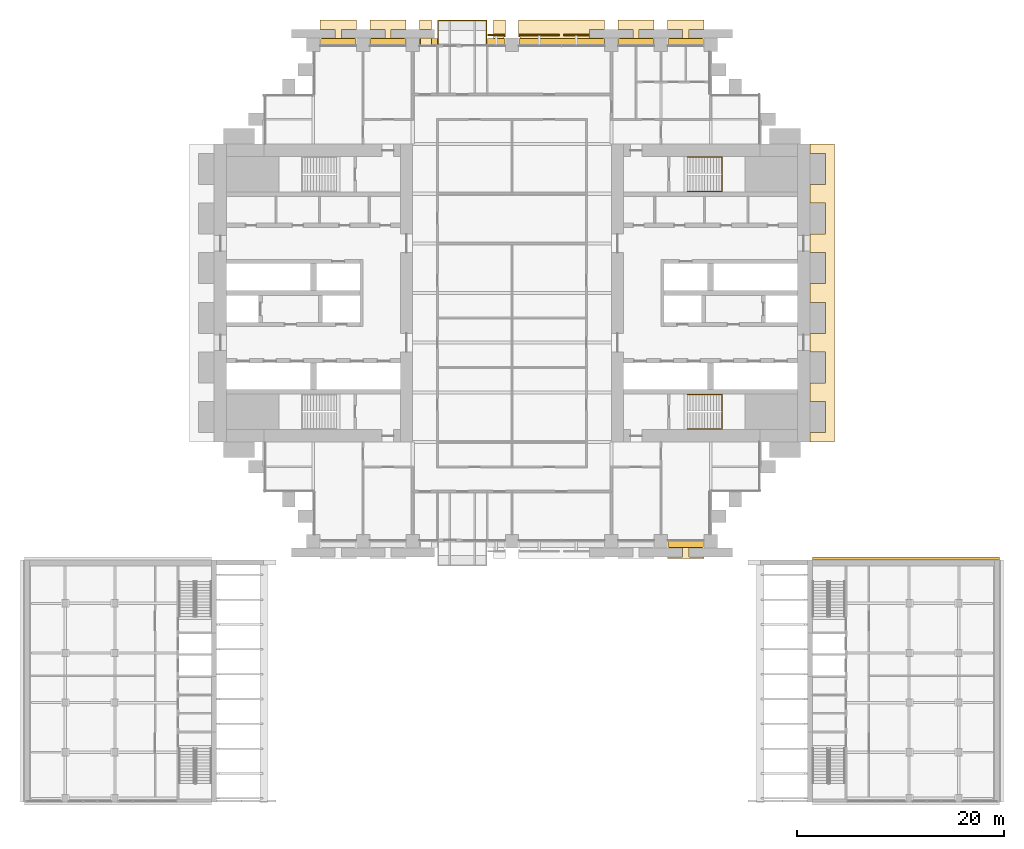
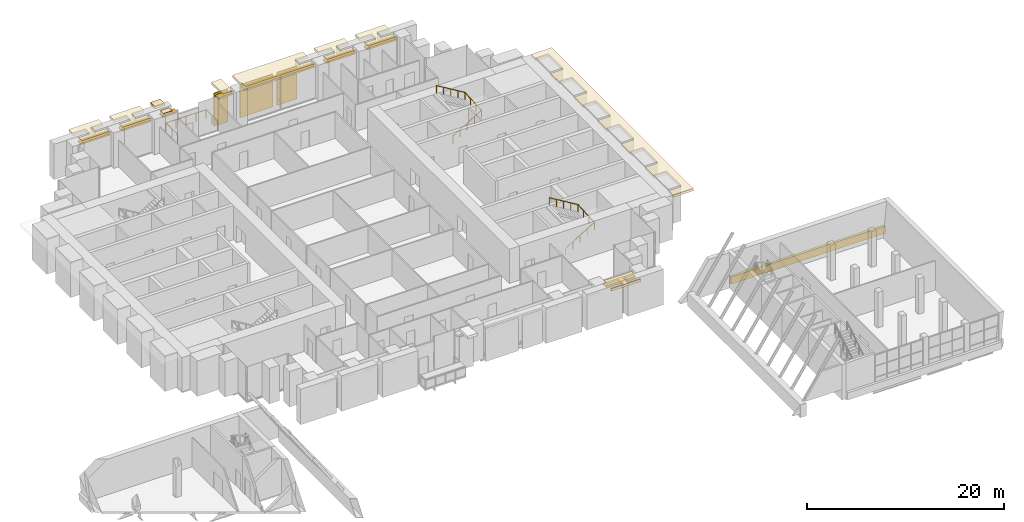
# One storey, part 32 of 32: 14 coverings, 8 shading devices, 3 railings.
"""IFC4 building model written with IfcOpenShell, lengths in metres."""

import ifcopenshell
import ifcopenshell.guid

model = None  # the IFC model being written
_history = None  # IfcOwnerHistory: only IFC2X3 demands one
_inside = {}  # id of a spatial element -> (the spatial element, [elements in it])
_under = {}  # id of a project, library or spatial element -> (it, [spatial elements below it])
_declared = {}  # id of a project -> (the project, [libraries it declares])
_typed = {}  # id of a type object -> (the type object, [elements of that type])
_made_of = {}  # id of a material, layer set ... -> (it, [elements and type objects made of it])


def new_model(schema):
    """Start an empty IFC model of exactly this schema.

    Asked for "IFC4X3", IfcOpenShell would pick the latest addendum, in which some entities
    have other attributes; the version numbers below select the first issue.
    IFC2X3 requires an IfcOwnerHistory on every rooted entity: one is made here for all.
    """
    global model, _history
    if schema == "IFC4X3":
        model = ifcopenshell.file(schema_version=(4, 3, 0, 0))
    else:
        model = ifcopenshell.file(schema=schema)
    _inside.clear()
    _under.clear()
    _declared.clear()
    _typed.clear()
    _made_of.clear()
    _history = None
    if model.schema == "IFC2X3":
        org = make("IfcOrganization", Name="unknown")
        user = make(
            "IfcPersonAndOrganization",
            ThePerson=make("IfcPerson", FamilyName="unknown"),
            TheOrganization=org,
        )
        app = make(
            "IfcApplication",
            ApplicationDeveloper=org,
            Version="unknown",
            ApplicationFullName="unknown",
            ApplicationIdentifier="unknown",
        )
        _history = make(
            "IfcOwnerHistory",
            OwningUser=user,
            OwningApplication=app,
            ChangeAction="ADDED",
            CreationDate=0,
        )
    return model


def make(cls, **values):
    """One entity of the class cls with the attributes given. An attribute that is None is left unset."""
    return model.create_entity(
        cls, **{name: value for name, value in values.items() if value is not None}
    )


def rooted(cls, **values):
    """An entity with a GlobalId (a new one), such as an element, a storey or a relation."""
    return make(cls, GlobalId=ifcopenshell.guid.new(), OwnerHistory=_history, **values)


def si_unit(unit_type, name, prefix=None):
    """IfcSIUnit, for example si_unit("LENGTHUNIT", "METRE", prefix="MILLI")."""
    return make("IfcSIUnit", UnitType=unit_type, Prefix=prefix, Name=name)


def assignment(units):
    """IfcUnitAssignment: the units of a project."""
    return None if units is None else make("IfcUnitAssignment", Units=units)


def point(xyz):
    """IfcCartesianPoint."""
    return None if xyz is None else make("IfcCartesianPoint", Coordinates=xyz)


def direction(xyz):
    """IfcDirection."""
    return None if xyz is None else make("IfcDirection", DirectionRatios=xyz)


def frame(location, z_axis=None, x_axis=None):
    """IfcAxis2Placement3D, a coordinate frame: its origin and axes. An axis left out is left unset."""
    return make(
        "IfcAxis2Placement3D",
        Location=point(location),
        Axis=direction(z_axis),
        RefDirection=direction(x_axis),
    )


def frame_2d(location, x_axis=None):
    """IfcAxis2Placement2D, a coordinate frame in the plane: its origin and x axis."""
    return make(
        "IfcAxis2Placement2D", Location=point(location), RefDirection=direction(x_axis)
    )


def origin():
    """The frame at (0, 0, 0) with its axes left unset."""
    return frame((0.0, 0.0, 0.0))


def origin_2d():
    """The frame at (0, 0) in the plane with its x axis left unset."""
    return frame_2d((0.0, 0.0))


def place(relative_to, where):
    """IfcLocalPlacement: puts the frame where relative to a parent placement (None: the world)."""
    return make(
        "IfcLocalPlacement", PlacementRelTo=relative_to, RelativePlacement=where
    )


def context(
    kind, dimensions, precision=None, world=None, true_north=None, identifier=None
):
    """IfcGeometricRepresentationContext, for example the 3D "Model" context."""
    return make(
        "IfcGeometricRepresentationContext",
        ContextIdentifier=identifier,
        ContextType=kind,
        CoordinateSpaceDimension=dimensions,
        Precision=precision,
        WorldCoordinateSystem=world,
        TrueNorth=true_north,
    )


def subcontext(parent, identifier, kind, view, scale=None):
    """IfcGeometricRepresentationSubContext, for example "Body" below "Model"."""
    return make(
        "IfcGeometricRepresentationSubContext",
        ContextIdentifier=identifier,
        ContextType=kind,
        ParentContext=parent,
        TargetScale=scale,
        TargetView=view,
    )


def project(units=None, contexts=None):
    """IfcProject with its units and contexts."""
    return rooted(
        "IfcProject",
        Name="project",
        RepresentationContexts=contexts,
        UnitsInContext=assignment(units),
    )


def spatial(cls, under=None, at=None, **own):
    """A site, building, storey or space (cls), placed at a placement, below another one or the project."""
    s = rooted(cls, ObjectPlacement=at, **own)
    if under is not None:
        _under.setdefault(under.id(), (under, []))[1].append(s)
    return s


def polyline(points):
    """IfcPolyline through the points."""
    return make("IfcPolyline", Points=[point(p) for p in points])


def profile(cls, at=None, kind="AREA", **sizes):
    """A parametric profile (cls). Its sizes go by their IFC names, for example OverallWidth=200.0."""
    return make(cls, ProfileType=kind, Position=at, **sizes)


def rectangle(**sizes):
    """IfcRectangleProfileDef."""
    return profile("IfcRectangleProfileDef", **sizes)


def circle(**sizes):
    """IfcCircleProfileDef."""
    return profile("IfcCircleProfileDef", **sizes)


def outline(outer, holes=None, kind="AREA"):
    """IfcArbitraryClosedProfileDef: a profile drawn as a closed curve; with holes, ...WithVoids."""
    if holes is None:
        return make("IfcArbitraryClosedProfileDef", ProfileType=kind, OuterCurve=outer)
    return make(
        "IfcArbitraryProfileDefWithVoids",
        ProfileType=kind,
        OuterCurve=outer,
        InnerCurves=holes,
    )


def extrude(swept, where, along, depth):
    """IfcExtrudedAreaSolid: the profile swept, set in the frame where, extruded along a direction by depth."""
    return make(
        "IfcExtrudedAreaSolid",
        SweptArea=swept,
        Position=where,
        ExtrudedDirection=direction(along),
        Depth=depth,
    )


def shape(context_of_items, identifier, shape_type, items):
    """IfcShapeRepresentation: the items that make up one representation, for example the "Body"."""
    return make(
        "IfcShapeRepresentation",
        ContextOfItems=context_of_items,
        RepresentationIdentifier=identifier,
        RepresentationType=shape_type,
        Items=items,
    )


def material(Name=None, Category=None):
    """IfcMaterial."""
    return make("IfcMaterial", Name=Name, Category=Category)


def layer(
    of_material, thickness, ventilated=None, Name=None, Category=None, Priority=None
):
    """IfcMaterialLayer: one layer of a wall or slab, of a material (None: an air gap)."""
    return make(
        "IfcMaterialLayer",
        Material=of_material,
        LayerThickness=thickness,
        IsVentilated=ventilated,
        Name=Name,
        Category=Category,
        Priority=Priority,
    )


def layer_set(layers, Name=None):
    """IfcMaterialLayerSet."""
    return make("IfcMaterialLayerSet", MaterialLayers=layers, LayerSetName=Name)


def made_of(thing, what):
    """Note that an element or type object is made of a material, layer set ...; save() writes the relation."""
    if what is not None:
        _made_of.setdefault(what.id(), (what, []))[1].append(thing)
    return thing


def type_object(cls, material=None, **own):
    """A type object (cls), such as IfcWallType, which elements share."""
    return made_of(rooted(cls, **own), material)


def element(
    cls,
    number,
    at=None,
    inside=None,
    cuts=None,
    type_object=None,
    material=None,
    context=None,
    identifier="Body",
    shape_type=None,
    held_by="IfcProductDefinitionShape",
    body=None,
    shapes=None,
    **own,
):
    """One element of the class cls, such as IfcWall. Its Tag is "e" and its number.

    at: its placement. inside: the storey or other place that contains it. cuts: it is an
    opening in that element (IfcRelVoidsElement). A single representation is given by context,
    identifier, shape_type and body (its items); several are given by shapes. held_by: the class
    of the entity that holds the representations. save() writes the other relations.
    """
    e = rooted(cls, Tag="e%d" % number, ObjectPlacement=at, **own)
    if body is not None:
        shapes = [shape(context, identifier, shape_type, body)]
    if shapes is not None:
        e.Representation = make(held_by, Representations=shapes)
    if inside is not None:
        _inside.setdefault(inside.id(), (inside, []))[1].append(e)
    if cuts is not None:
        rooted(
            "IfcRelVoidsElement", RelatingBuildingElement=cuts, RelatedOpeningElement=e
        )
    if type_object is not None:
        _typed.setdefault(type_object.id(), (type_object, []))[1].append(e)
    return made_of(e, material)


def aggregate(whole, parts):
    """IfcRelAggregates: a whole, such as a stair, and the parts it consists of."""
    return rooted("IfcRelAggregates", RelatingObject=whole, RelatedObjects=parts)


def save(model, path):
    """Write the relations noted so far, then the file.

    IfcRelAggregates (storeys below a building ...), IfcRelContainedInSpatialStructure (elements
    in a storey), IfcRelDefinesByType, IfcRelAssociatesMaterial and IfcRelDeclares: one each for
    every whole, place, type object, material and project.
    """
    for whole, parts in _under.values():
        aggregate(whole, parts)
    for where, things in _inside.values():
        rooted(
            "IfcRelContainedInSpatialStructure",
            RelatedElements=things,
            RelatingStructure=where,
        )
    for kind, things in _typed.values():
        rooted("IfcRelDefinesByType", RelatedObjects=things, RelatingType=kind)
    for what, things in _made_of.values():
        rooted("IfcRelAssociatesMaterial", RelatedObjects=things, RelatingMaterial=what)
    for by, libraries in _declared.values():
        rooted("IfcRelDeclares", RelatingContext=by, RelatedDefinitions=libraries)
    model.write(path)


model = new_model("IFC4")

# Units and contexts
model_context = context("Model", 3, precision=1e-05, world=origin(), true_north=direction((0.0, 1.0)))
body_context = subcontext(model_context, "Body", "Model", "MODEL_VIEW")
ifc_project = project(units=[si_unit("LENGTHUNIT", "METRE"), si_unit("AREAUNIT", "SQUARE_METRE"), si_unit("VOLUMEUNIT", "CUBIC_METRE"), si_unit("PLANEANGLEUNIT", "RADIAN"), si_unit("MASSUNIT", "GRAM", prefix="KILO")], contexts=[model_context])

# Site, building, storey
site_placement = place(None, origin())
site = spatial("IfcSite", under=ifc_project, at=site_placement, CompositionType="ELEMENT")
building_placement = place(site_placement, origin())
building = spatial("IfcBuilding", under=site, at=building_placement, Name="Baori Bourse Tower", CompositionType="ELEMENT")
storey_placement = place(building_placement, frame((0.0, 0.0, 21.39990234375)))
storey = spatial("IfcBuildingStorey", under=building, at=storey_placement, Name="L03", CompositionType="ELEMENT", Elevation=21.39990234375)

# Coverings
ifc_material_1 = material(Name="Pale anodised aluminium", Category="aluminium")
covering_type_1 = type_object("IfcCoveringType", Name="BD1 Pale metal band", PredefinedType="CLADDING", material=ifc_material_1)
covering_1_placement = place(storey_placement, frame((0.0, 0.0, 3.940185546875)))
element("IfcCovering", 1, at=covering_1_placement, inside=storey, type_object=covering_type_1, Name="Pale projecting band L03 1", PredefinedType="CLADDING", context=body_context, shape_type="SweptSolid", body=[
    extrude(outline(polyline([(57.60009765625, 10.5), (57.60009765625, 9.60009765625), (60.0, 9.60009765625), (60.0, 38.39990234375), (57.60009765625, 38.39990234375), (57.60009765625, 37.5), (59.10009765625, 37.5), (59.10009765625, 34.5), (57.60009765625, 34.5), (57.60009765625, 32.699951171875), (59.10009765625, 32.699951171875), (59.10009765625, 29.699951171875), (57.60009765625, 29.699951171875), (57.60009765625, 27.89990234375), (59.10009765625, 27.89990234375), (59.10009765625, 24.89990234375), (57.60009765625, 24.89990234375), (57.60009765625, 23.10009765625), (59.10009765625, 23.10009765625), (59.10009765625, 20.10009765625), (57.60009765625, 20.10009765625), (57.60009765625, 18.300048828125), (59.10009765625, 18.300048828125), (59.10009765625, 15.300048828125), (57.60009765625, 15.300048828125), (57.60009765625, 13.5), (59.10009765625, 13.5), (59.10009765625, 10.5), (57.60009765625, 10.5)])), origin(), (0.0, 0.0, 1.0), 0.2998046875),
])
covering_2_placement = place(storey_placement, frame((0.0, 0.0, 3.940185546875)))
element("IfcCovering", 2, at=covering_2_placement, inside=storey, type_object=covering_type_1, Name="Pale projecting band L03 2", PredefinedType="CLADDING", context=body_context, shape_type="SweptSolid", body=[
    extrude(outline(polyline([(43.969970703125, 48.0), (47.22998046875, 48.0), (47.22998046875, 48.64990234375), (45.89990234375, 48.64990234375), (45.89990234375, 49.5), (47.35009765625, 49.5), (47.35009765625, 50.39990234375), (43.85009765625, 50.39990234375), (43.85009765625, 49.5), (45.300048828125, 49.5), (45.300048828125, 48.64990234375), (43.969970703125, 48.64990234375), (43.969970703125, 48.0)])), origin(), (0.0, 0.0, 1.0), 0.2998046875),
])
covering_3_placement = place(storey_placement, frame((0.0, 0.0, 3.940185546875)))
element("IfcCovering", 3, at=covering_3_placement, inside=storey, type_object=covering_type_1, Name="Pale projecting band L03 3", PredefinedType="CLADDING", context=body_context, shape_type="SweptSolid", body=[
    extrude(outline(polyline([(39.169921875, 48.0), (42.429931640625, 48.0), (42.429931640625, 48.64990234375), (41.10009765625, 48.64990234375), (41.10009765625, 49.5), (42.550048828125, 49.5), (42.550048828125, 50.39990234375), (39.050048828125, 50.39990234375), (39.050048828125, 49.5), (40.5, 49.5), (40.5, 48.64990234375), (39.169921875, 48.64990234375), (39.169921875, 48.0)])), origin(), (0.0, 0.0, 1.0), 0.2998046875),
])
covering_4_placement = place(storey_placement, frame((0.0, 0.0, 3.940185546875)))
element("IfcCovering", 4, at=covering_4_placement, inside=storey, type_object=covering_type_1, Name="Pale projecting band L03 4", PredefinedType="CLADDING", context=body_context, shape_type="SweptSolid", body=[
    extrude(outline(polyline([(29.570068359375, 48.0), (37.6298828125, 48.0), (37.6298828125, 48.64990234375), (36.300048828125, 48.64990234375), (36.300048828125, 49.5), (37.75, 49.5), (37.75, 50.39990234375), (29.449951171875, 50.39990234375), (29.449951171875, 48.77001953125), (29.570068359375, 48.77001953125), (29.570068359375, 48.0)])), origin(), (0.0, 0.0, 1.0), 0.2998046875),
])
covering_5_placement = place(storey_placement, frame((0.0, 0.0, 3.940185546875)))
element("IfcCovering", 5, at=covering_5_placement, inside=storey, type_object=covering_type_1, Name="Pale projecting band L03 5", PredefinedType="CLADDING", context=body_context, shape_type="SweptSolid", body=[
    extrude(outline(polyline([(27.0, 48.0), (28.030029296875, 48.0), (28.030029296875, 48.77001953125), (28.14990234375, 48.77001953125), (28.14990234375, 50.39990234375), (27.0, 50.39990234375), (27.0, 48.0)])), origin(), (0.0, 0.0, 1.0), 0.2998046875),
])
covering_6_placement = place(storey_placement, frame((0.0, 0.0, 3.940185546875)))
element("IfcCovering", 6, at=covering_6_placement, inside=storey, type_object=covering_type_1, Name="Pale projecting band L03 6", PredefinedType="CLADDING", context=body_context, shape_type="SweptSolid", body=[
    extrude(outline(polyline([(19.85009765625, 50.39990234375), (19.85009765625, 49.5), (21.0, 49.5), (21.0, 50.39990234375), (19.85009765625, 50.39990234375)])), origin(), (0.0, 0.0, 1.0), 0.2998046875),
])
covering_7_placement = place(storey_placement, frame((0.0, 0.0, 3.940185546875)))
element("IfcCovering", 7, at=covering_7_placement, inside=storey, type_object=covering_type_1, Name="Pale projecting band L03 7", PredefinedType="CLADDING", context=body_context, shape_type="SweptSolid", body=[
    extrude(outline(polyline([(19.969970703125, 48.0), (21.0, 48.0), (21.0, 48.64990234375), (19.969970703125, 48.64990234375), (19.969970703125, 48.0)])), origin(), (0.0, 0.0, 1.0), 0.2998046875),
])
covering_8_placement = place(storey_placement, frame((0.0, 0.0, 3.940185546875)))
element("IfcCovering", 8, at=covering_8_placement, inside=storey, type_object=covering_type_1, Name="Pale projecting band L03 8", PredefinedType="CLADDING", context=body_context, shape_type="SweptSolid", body=[
    extrude(outline(polyline([(15.169921875, 48.0), (18.429931640625, 48.0), (18.429931640625, 48.64990234375), (17.10009765625, 48.64990234375), (17.10009765625, 49.5), (18.550048828125, 49.5), (18.550048828125, 50.39990234375), (15.050048828125, 50.39990234375), (15.050048828125, 49.5), (16.5, 49.5), (16.5, 48.64990234375), (15.169921875, 48.64990234375), (15.169921875, 48.0)])), origin(), (0.0, 0.0, 1.0), 0.2998046875),
])
covering_9_placement = place(storey_placement, frame((0.0, 0.0, 3.940185546875)))
element("IfcCovering", 9, at=covering_9_placement, inside=storey, type_object=covering_type_1, Name="Pale projecting band L03 9", PredefinedType="CLADDING", context=body_context, shape_type="SweptSolid", body=[
    extrude(outline(polyline([(10.3701171875, 48.0), (13.6298828125, 48.0), (13.6298828125, 48.64990234375), (12.300048828125, 48.64990234375), (12.300048828125, 49.5), (13.75, 49.5), (13.75, 50.39990234375), (10.25, 50.39990234375), (10.25, 49.5), (11.699951171875, 49.5), (11.699951171875, 48.64990234375), (10.3701171875, 48.64990234375), (10.3701171875, 48.0)])), origin(), (0.0, 0.0, 1.0), 0.2998046875),
])
covering_10_placement = place(storey_placement, frame((0.0, 0.0, 3.940185546875)))
element("IfcCovering", 10, at=covering_10_placement, inside=storey, type_object=covering_type_1, Name="Pale projecting band L03 17", PredefinedType="CLADDING", context=body_context, shape_type="SweptSolid", body=[
    extrude(outline(polyline([(47.22998046875, 0.0), (43.969970703125, 0.0), (43.969970703125, -0.64990234375), (45.300048828125, -0.64990234375), (45.300048828125, -1.5), (43.85009765625, -1.5), (43.85009765625, -1.64990234375), (47.35009765625, -1.64990234375), (47.35009765625, -1.5), (45.89990234375, -1.5), (45.89990234375, -0.64990234375), (47.22998046875, -0.64990234375), (47.22998046875, 0.0)])), origin(), (0.0, 0.0, 1.0), 0.2998046875),
])

# Shading devices
ifc_material_2 = material(Name="Concrete f'c 40 MPa", Category="concrete")
ifc_layer_1 = layer(ifc_material_2, 0.199951171875)
ifc_layer_set_1 = layer_set([ifc_layer_1], Name="BS1 Brise-soleil ledge")
shading_device_type = type_object("IfcShadingDeviceType", Name="BS1 Brise-soleil ledge", PredefinedType="USERDEFINED", material=ifc_layer_set_1)
for number, where, z_axis, x_axis, name in (
    (11, (45.60009765625, 48.300048828125, 3.740234375), (0.0, 0.0, 1.0), (-1.0, 0.0, 0.0), "Brise-soleil ledge L03 1"),
    (12, (40.800048828125, 48.300048828125, 3.740234375), (0.0, 0.0, 1.0), (-1.0, 0.0, 0.0), "Brise-soleil ledge L03 2"),
):
    element("IfcShadingDevice", number, at=place(storey_placement, frame(where, z_axis=z_axis, x_axis=x_axis)), inside=storey, type_object=shading_device_type, Name=name, ObjectType="BRISE SOLEIL", PredefinedType="USERDEFINED", context=body_context, shape_type="SweptSolid", body=[
        extrude(rectangle(XDim=3.4599609375, YDim=0.60009765625, at=origin_2d()), origin(), (0.0, 0.0, 1.0), 0.199951171875),
    ])
shading_device_placement = place(storey_placement, frame((33.60009765625, 48.300048828125, 3.740234375), z_axis=(0.0, 0.0, 1.0), x_axis=(-1.0, 0.0, 0.0)))
element("IfcShadingDevice", 13, at=shading_device_placement, inside=storey, type_object=shading_device_type, Name="Brise-soleil ledge L03 3", ObjectType="BRISE SOLEIL", PredefinedType="USERDEFINED", context=body_context, shape_type="SweptSolid", body=[
    extrude(rectangle(XDim=8.260009765625, YDim=0.60009765625, at=origin_2d()), origin(), (0.0, 0.0, 1.0), 0.199951171875),
])
for number, where, z_axis, x_axis, name in (
    (14, (27.27490234375, 48.300048828125, 3.740234375), (0.0, 0.0, 1.0), (-1.0, 0.0, 0.0), "Brise-soleil ledge L03 4"),
    (15, (20.72509765625, 48.300048828125, 3.740234375), (0.0, 0.0, 1.0), (-1.0, 0.0, 0.0), "Brise-soleil ledge L03 5"),
):
    element("IfcShadingDevice", number, at=place(storey_placement, frame(where, z_axis=z_axis, x_axis=x_axis)), inside=storey, type_object=shading_device_type, Name=name, ObjectType="BRISE SOLEIL", PredefinedType="USERDEFINED", context=body_context, shape_type="SweptSolid", body=[
        extrude(rectangle(XDim=1.7099609375, YDim=0.60009765625, at=origin_2d()), origin(), (0.0, 0.0, 1.0), 0.199951171875),
    ])
for number, where, z_axis, x_axis, name in (
    (16, (16.800048828125, 48.300048828125, 3.740234375), (0.0, 0.0, 1.0), (-1.0, 0.0, 0.0), "Brise-soleil ledge L03 6"),
    (17, (12.0, 48.300048828125, 3.740234375), (0.0, 0.0, 1.0), (-1.0, 0.0, 0.0), "Brise-soleil ledge L03 7"),
    (18, (45.60009765625, -0.300048828125, 3.740234375), (0.0, 0.0, 1.0), (1.0, 0.0, 0.0), "Brise-soleil ledge L03 14"),
):
    element("IfcShadingDevice", number, at=place(storey_placement, frame(where, z_axis=z_axis, x_axis=x_axis)), inside=storey, type_object=shading_device_type, Name=name, ObjectType="BRISE SOLEIL", PredefinedType="USERDEFINED", context=body_context, shape_type="SweptSolid", body=[
        extrude(rectangle(XDim=3.4599609375, YDim=0.60009765625, at=origin_2d()), origin(), (0.0, 0.0, 1.0), 0.199951171875),
    ])

# Railings
ifc_material_3 = material(Name="Powder-coated steel balustrade", Category="steel")
railing_type_1 = type_object("IfcRailingType", Name="Core stair handrail", PredefinedType="HANDRAIL", material=ifc_material_3)
railing_1_placement = place(storey_placement, frame((45.75, 10.85009765625, 0.16943359375)))
element("IfcRailing", 19, at=railing_1_placement, inside=storey, type_object=railing_type_1, Name="L03 ST3 stair handrail 1", PredefinedType="HANDRAIL", context=body_context, shape_type="SweptSolid", body=[
    extrude(circle(Radius=0.02392578125, at=origin_2d()), frame((0.0, 0.0, 0.8759765625), z_axis=(0.855836976705, 0.0, 0.517245656632), x_axis=(0.0, 1.0, 0.0)), (0.0, 0.0, 1.0), 3.926025390625),
    extrude(circle(Radius=0.02392578125, at=origin_2d()), frame((3.360107421875, 0.0, 2.90673828125), z_axis=(0.0, 0.998726980575, 0.050442227064), x_axis=(-1.0, 0.0, 0.0)), (0.0, 0.0, 1.0), 3.35400390625),
    extrude(circle(Radius=0.02392578125, at=origin_2d()), frame((3.360107421875, 3.349853515625, 3.07568359375), z_axis=(-0.855836976705, 0.0, 0.517245656632), x_axis=(0.0, -1.0, 0.0)), (0.0, 0.0, 1.0), 3.926025390625),
    extrude(circle(Radius=0.02099609375, at=origin_2d()), origin(), (0.0, 0.0, 1.0), 0.851806640625),
    extrude(circle(Radius=0.02099609375, at=origin_2d()), frame((0.840087890625, 0.0, 0.5078125)), (0.0, 0.0, 1.0), 0.851806640625),
    extrude(circle(Radius=0.02099609375, at=origin_2d()), frame((1.68017578125, 0.0, 1.015380859375)), (0.0, 0.0, 1.0), 0.851806640625),
    extrude(circle(Radius=0.02099609375, at=origin_2d()), frame((2.52001953125, 0.0, 1.52294921875)), (0.0, 0.0, 1.0), 0.851806640625),
    extrude(circle(Radius=0.02099609375, at=origin_2d()), frame((3.360107421875, 0.0, 2.03076171875)), (0.0, 0.0, 1.0), 0.851806640625),
    extrude(circle(Radius=0.02099609375, at=origin_2d()), frame((3.360107421875, 1.11669921875, 2.087158203125)), (0.0, 0.0, 1.0), 0.851806640625),
    extrude(circle(Radius=0.02099609375, at=origin_2d()), frame((3.360107421875, 2.233154296875, 2.1435546875)), (0.0, 0.0, 1.0), 0.851806640625),
    extrude(circle(Radius=0.02099609375, at=origin_2d()), frame((3.360107421875, 3.349853515625, 2.199951171875)), (0.0, 0.0, 1.0), 0.851806640625),
    extrude(circle(Radius=0.02099609375, at=origin_2d()), frame((2.52001953125, 3.349853515625, 2.70751953125)), (0.0, 0.0, 1.0), 0.851806640625),
    extrude(circle(Radius=0.02099609375, at=origin_2d()), frame((1.68017578125, 3.349853515625, 3.21533203125)), (0.0, 0.0, 1.0), 0.851806640625),
    extrude(circle(Radius=0.02099609375, at=origin_2d()), frame((0.840087890625, 3.349853515625, 3.72314453125)), (0.0, 0.0, 1.0), 0.851806640625),
    extrude(circle(Radius=0.02099609375, at=origin_2d()), frame((0.0, 3.349853515625, 4.230712890625)), (0.0, 0.0, 1.0), 0.851806640625),
])
railing_2_placement = place(storey_placement, frame((45.75, 33.800048828125, 0.16943359375)))
element("IfcRailing", 20, at=railing_2_placement, inside=storey, type_object=railing_type_1, Name="L03 ST4 stair handrail 1", PredefinedType="HANDRAIL", context=body_context, shape_type="SweptSolid", body=[
    extrude(circle(Radius=0.02392578125, at=origin_2d()), frame((0.0, 0.0, 0.8759765625), z_axis=(0.855836976705, 0.0, 0.517245656632), x_axis=(0.0, 1.0, 0.0)), (0.0, 0.0, 1.0), 3.926025390625),
    extrude(circle(Radius=0.02392578125, at=origin_2d()), frame((3.360107421875, 0.0, 2.90673828125), z_axis=(0.0, 0.998726980575, 0.050442227064), x_axis=(-1.0, 0.0, 0.0)), (0.0, 0.0, 1.0), 3.35400390625),
    extrude(circle(Radius=0.02392578125, at=origin_2d()), frame((3.360107421875, 3.349853515625, 3.07568359375), z_axis=(-0.855836976705, 0.0, 0.517245656632), x_axis=(0.0, -1.0, 0.0)), (0.0, 0.0, 1.0), 3.926025390625),
    extrude(circle(Radius=0.02099609375, at=origin_2d()), origin(), (0.0, 0.0, 1.0), 0.851806640625),
    extrude(circle(Radius=0.02099609375, at=origin_2d()), frame((0.840087890625, 0.0, 0.5078125)), (0.0, 0.0, 1.0), 0.851806640625),
    extrude(circle(Radius=0.02099609375, at=origin_2d()), frame((1.68017578125, 0.0, 1.015380859375)), (0.0, 0.0, 1.0), 0.851806640625),
    extrude(circle(Radius=0.02099609375, at=origin_2d()), frame((2.52001953125, 0.0, 1.52294921875)), (0.0, 0.0, 1.0), 0.851806640625),
    extrude(circle(Radius=0.02099609375, at=origin_2d()), frame((3.360107421875, 0.0, 2.03076171875)), (0.0, 0.0, 1.0), 0.851806640625),
    extrude(circle(Radius=0.02099609375, at=origin_2d()), frame((3.360107421875, 1.11669921875, 2.087158203125)), (0.0, 0.0, 1.0), 0.851806640625),
    extrude(circle(Radius=0.02099609375, at=origin_2d()), frame((3.360107421875, 2.233154296875, 2.1435546875)), (0.0, 0.0, 1.0), 0.851806640625),
    extrude(circle(Radius=0.02099609375, at=origin_2d()), frame((3.360107421875, 3.349853515625, 2.199951171875)), (0.0, 0.0, 1.0), 0.851806640625),
    extrude(circle(Radius=0.02099609375, at=origin_2d()), frame((2.52001953125, 3.349853515625, 2.70751953125)), (0.0, 0.0, 1.0), 0.851806640625),
    extrude(circle(Radius=0.02099609375, at=origin_2d()), frame((1.68017578125, 3.349853515625, 3.21533203125)), (0.0, 0.0, 1.0), 0.851806640625),
    extrude(circle(Radius=0.02099609375, at=origin_2d()), frame((0.840087890625, 3.349853515625, 3.72314453125)), (0.0, 0.0, 1.0), 0.851806640625),
    extrude(circle(Radius=0.02099609375, at=origin_2d()), frame((0.0, 3.349853515625, 4.230712890625)), (0.0, 0.0, 1.0), 0.851806640625),
])
ifc_material_4 = material(Name="Stainless steel", Category="steel")
railing_type_2 = type_object("IfcRailingType", Name="GD1 Guard", PredefinedType="GUARDRAIL", material=ifc_material_4)
railing_3_placement = place(storey_placement, frame((21.64990234375, 48.030029296875, 0.0)))
element("IfcRailing", 21, at=railing_3_placement, inside=storey, type_object=railing_type_2, Name="Guard balcony N L03 2", PredefinedType="GUARDRAIL", context=body_context, shape_type="SweptSolid", body=[
    extrude(circle(Radius=0.02392578125, at=origin_2d()), frame((0.0, 0.0, 1.076171875), z_axis=(0.0, 1.0, 0.0), x_axis=(-1.0, 0.0, 0.0)), (0.0, 0.0, 1.0), 2.320068359375),
    extrude(circle(Radius=0.02392578125, at=origin_2d()), frame((0.0, 2.320068359375, 1.076171875), z_axis=(1.0, 0.0, 0.0), x_axis=(0.0, 1.0, 0.0)), (0.0, 0.0, 1.0), 4.7001953125),
    extrude(circle(Radius=0.02392578125, at=origin_2d()), frame((4.7001953125, 2.320068359375, 1.076171875), z_axis=(0.0, -1.0, 0.0), x_axis=(1.0, 0.0, 0.0)), (0.0, 0.0, 1.0), 2.320068359375),
    extrude(circle(Radius=0.02099609375, at=origin_2d()), origin(), (0.0, 0.0, 1.0), 1.052001953125),
    extrude(circle(Radius=0.02099609375, at=origin_2d()), frame((0.0, 1.16015625, 0.0)), (0.0, 0.0, 1.0), 1.052001953125),
    extrude(circle(Radius=0.02099609375, at=origin_2d()), frame((0.0, 2.320068359375, 0.0)), (0.0, 0.0, 1.0), 1.052001953125),
    extrude(circle(Radius=0.02099609375, at=origin_2d()), frame((1.175048828125, 2.320068359375, 0.0)), (0.0, 0.0, 1.0), 1.052001953125),
    extrude(circle(Radius=0.02099609375, at=origin_2d()), frame((2.35009765625, 2.320068359375, 0.0)), (0.0, 0.0, 1.0), 1.052001953125),
    extrude(circle(Radius=0.02099609375, at=origin_2d()), frame((3.525146484375, 2.320068359375, 0.0)), (0.0, 0.0, 1.0), 1.052001953125),
    extrude(circle(Radius=0.02099609375, at=origin_2d()), frame((4.7001953125, 2.320068359375, 0.0)), (0.0, 0.0, 1.0), 1.052001953125),
    extrude(circle(Radius=0.02099609375, at=origin_2d()), frame((4.7001953125, 1.16015625, 0.0)), (0.0, 0.0, 1.0), 1.052001953125),
    extrude(circle(Radius=0.02099609375, at=origin_2d()), frame((4.7001953125, 0.0, 0.0)), (0.0, 0.0, 1.0), 1.052001953125),
])

# Coverings
ifc_material_5 = material(Name="Pale anodised aluminium", Category="aluminium")
ifc_layer_2 = layer(ifc_material_5, 0.10009765625)
ifc_layer_set_2 = layer_set([ifc_layer_2], Name="OS3 Outer skin screen panel")
covering_type_2 = type_object("IfcCoveringType", Name="OS3 Outer skin screen panel", PredefinedType="CLADDING", material=ifc_layer_set_2)
covering_11_placement = place(storey_placement, frame((0.0, 0.0, -0.159912109375)))
element("IfcCovering", 22, at=covering_11_placement, inside=storey, type_object=covering_type_2, Name="Outer skin screen L03 1", PredefinedType="CLADDING", context=body_context, shape_type="SweptSolid", body=[
    extrude(outline(polyline([(33.824951171875, 48.89990234375), (36.199951171875, 48.89990234375), (36.199951171875, 49.0), (33.824951171875, 49.0), (33.824951171875, 48.89990234375)])), origin(), (0.0, 0.0, 1.0), 4.10009765625),
])
covering_12_placement = place(storey_placement, frame((0.0, 0.0, -0.159912109375)))
element("IfcCovering", 23, at=covering_12_placement, inside=storey, type_object=covering_type_2, Name="Outer skin screen L03 2", PredefinedType="CLADDING", context=body_context, shape_type="SweptSolid", body=[
    extrude(outline(polyline([(29.5, 48.89990234375), (33.375, 48.89990234375), (33.375, 49.0), (29.5, 49.0), (29.5, 48.89990234375)])), origin(), (0.0, 0.0, 1.0), 4.10009765625),
])
covering_13_placement = place(storey_placement, frame((0.0, 0.0, -0.159912109375)))
element("IfcCovering", 24, at=covering_13_placement, inside=storey, type_object=covering_type_2, Name="Outer skin screen L03 3", PredefinedType="CLADDING", context=body_context, shape_type="SweptSolid", body=[
    extrude(outline(polyline([(26.449951171875, 48.89990234375), (28.10009765625, 48.89990234375), (28.10009765625, 49.0), (26.449951171875, 49.0), (26.449951171875, 48.89990234375)])), origin(), (0.0, 0.0, 1.0), 4.10009765625),
])
ifc_material_6 = material(Name="Pale anodised aluminium", Category="aluminium")
ifc_layer_3 = layer(ifc_material_6, 0.300048828125)
ifc_layer_set_3 = layer_set([ifc_layer_3], Name="Pale metal band 900x300")
covering_type_3 = type_object("IfcCoveringType", Name="Pale metal band 900x300", PredefinedType="CLADDING", material=ifc_layer_set_3)
covering_14_placement = place(storey_placement, origin())
element("IfcCovering", 25, at=covering_14_placement, inside=storey, type_object=covering_type_3, Name="BAND", PredefinedType="CLADDING", context=body_context, shape_type="SweptSolid", body=[
    extrude(outline(polyline([(75.95263671875, -1.5), (57.85009765625, -1.5), (57.85009765625, -1.800048828125), (75.95263671875, -1.800048828125), (75.95263671875, -1.5)])), origin(), (0.0, 0.0, 1.0), 0.900146484375),
])

save(model, "model.ifc")
